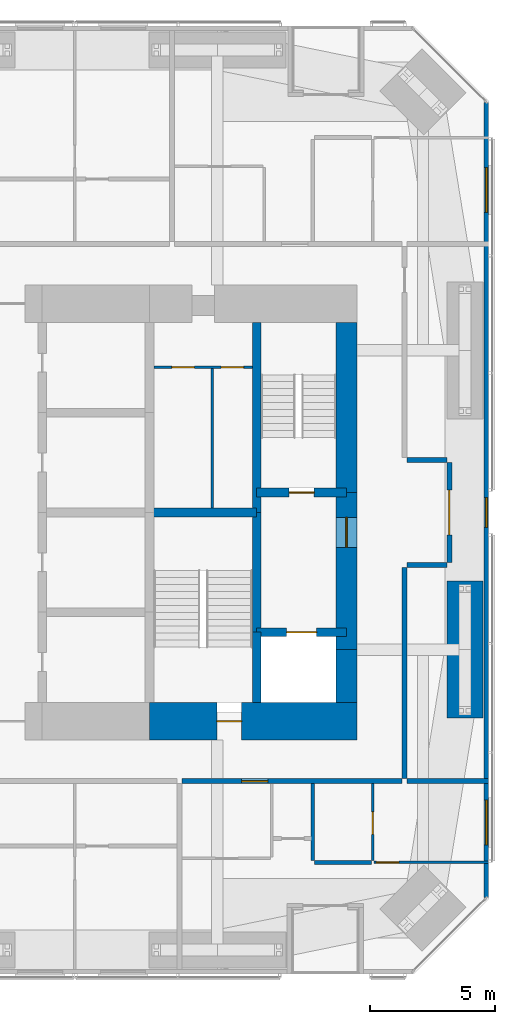
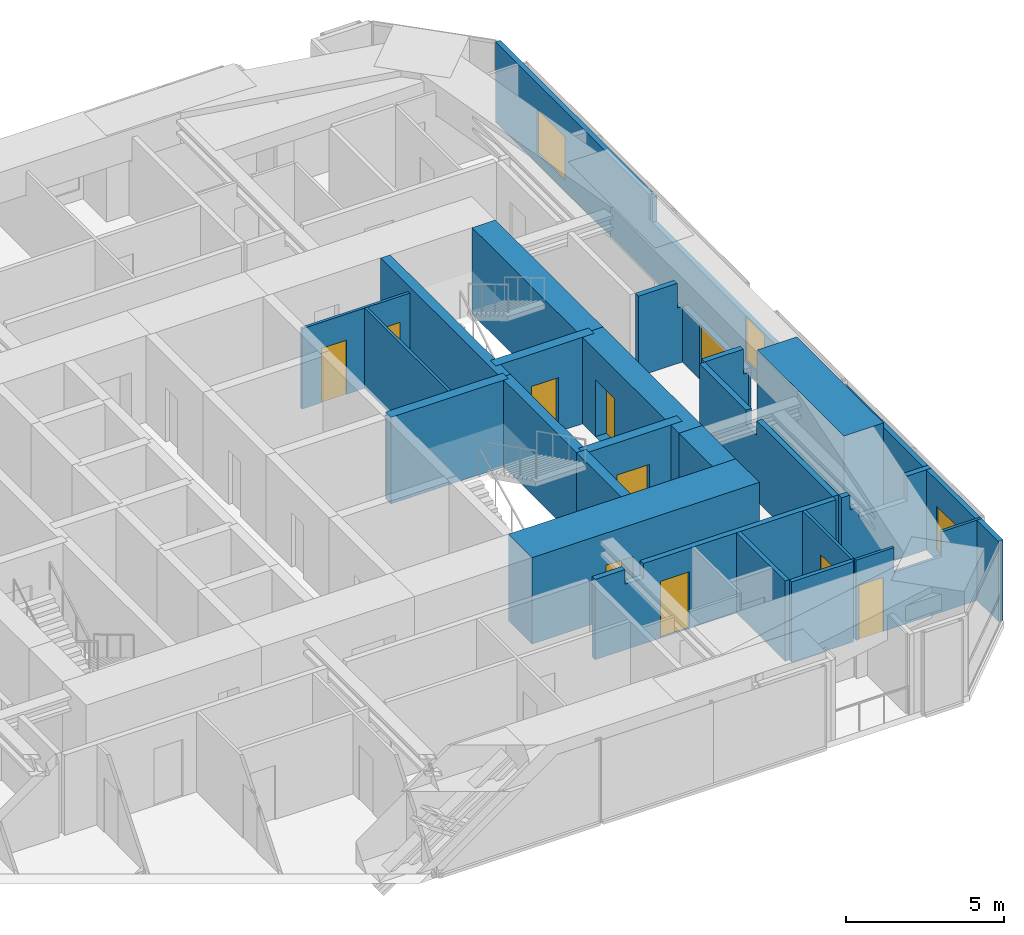
# One storey, part 20 of 23: 24 walls, 10 doors, 3 windows, 13 openings.
"""IFC4 building model written with IfcOpenShell, lengths in metres."""

from ifc_helpers import new_model, si_unit, direction, frame, frame_2d, origin, place, context, subcontext, project, spatial, polyline, rectangle, outline, extrude, material, layer, layer_set, constituent, constituent_set, type_object, element, fill, save


model = new_model("IFC4")

# Units and contexts
model_context = context("Model", 3, precision=1e-05, world=origin(), true_north=direction((0.0, 1.0)))
body_context = subcontext(model_context, "Body", "Model", "MODEL_VIEW")
ifc_project = project(units=[si_unit("LENGTHUNIT", "METRE"), si_unit("AREAUNIT", "SQUARE_METRE"), si_unit("VOLUMEUNIT", "CUBIC_METRE"), si_unit("PLANEANGLEUNIT", "RADIAN"), si_unit("MASSUNIT", "GRAM", prefix="KILO")], contexts=[model_context])

# Site, building, storey
site_placement = place(None, origin())
site = spatial("IfcSite", under=ifc_project, at=site_placement, CompositionType="ELEMENT")
building_placement = place(site_placement, origin())
building = spatial("IfcBuilding", under=site, at=building_placement, Name="Jalousie Tower", CompositionType="ELEMENT")
storey_placement = place(building_placement, frame((0.0, 0.0, 118.25)))
storey = spatial("IfcBuildingStorey", under=building, at=storey_placement, Name="L32", CompositionType="ELEMENT", Elevation=118.25)

# Walls
ifc_material_1 = material(Name="Concrete block ASTM C90", Category="concrete")
ifc_constituent_1 = constituent(ifc_material_1, Name="Body")
ifc_material_2 = material(Name="Render")
ifc_constituent_2 = constituent(ifc_material_2, Name="Finish")
ifc_constituent_set_1 = constituent_set(constituents=[ifc_constituent_1, ifc_constituent_2])
wall_type_1 = type_object("IfcWallType", Name="BATHROOM WALL 150", PredefinedType="PLUMBINGWALL", material=ifc_constituent_set_1)
wall_1_placement = place(storey_placement, frame((42.52490234375, 4.4638671875, 0.0), z_axis=(0.0, 0.0, 1.0), x_axis=(1.0, 0.0, 0.0)))
element("IfcWall", 1, at=wall_1_placement, inside=storey, type_object=wall_type_1, Name="Bathroom Wall 150 L32", PredefinedType="PLUMBINGWALL", context=body_context, shape_type="SweptSolid", body=[
    extrude(rectangle(XDim=2.275146484375, YDim=0.14990234375, at=frame_2d((1.1376953125, 0.0))), origin(), (0.0, 0.0, 1.0), 3.110107421875),
])
wall_2_placement = place(storey_placement, frame((42.449951171875, 4.538818359375, 0.0), z_axis=(0.0, 0.0, 1.0), x_axis=(0.0, 1.0, 0.0)))
element("IfcWall", 2, at=wall_2_placement, inside=storey, type_object=wall_type_1, Name="Bathroom Wall 150 L32", PredefinedType="PLUMBINGWALL", context=body_context, shape_type="SweptSolid", body=[
    extrude(rectangle(XDim=3.086181640625, YDim=0.14990234375, at=frame_2d((1.54296875, 0.0))), origin(), (0.0, 0.0, 1.0), 3.110107421875),
])

# Wall, opening, door
ifc_material_3 = material(Name="Concrete f'c 120 MPa", Category="concrete")
ifc_layer_1 = layer(ifc_material_3, 1.5)
ifc_layer_set_1 = layer_set([ifc_layer_1], Name="Concrete f'c 120 MPa")
wall_type_2 = type_object("IfcWallType", Name="CORE WALL 1500", PredefinedType="SHEAR", material=ifc_layer_set_1)
wall_3_placement = place(storey_placement, frame((35.89990234375, 10.125, 0.0), z_axis=(0.0, 0.0, 1.0), x_axis=(1.0, 0.0, 0.0)))
wall_3 = element("IfcWall", 3, at=wall_3_placement, inside=storey, type_object=wall_type_2, Name="Core wall SD L32", PredefinedType="SHEAR", context=body_context, shape_type="SweptSolid", body=[
    extrude(rectangle(XDim=8.3251953125, YDim=1.5, at=frame_2d((4.16259765625, 0.0))), origin(), (0.0, 0.0, 1.0), 3.35009765625),
])
opening_1_placement = place(wall_3_placement, frame((2.699951171875, 0.0, 0.0)))
opening_1 = element("IfcOpeningElement", 4, at=opening_1_placement, cuts=wall_3, Name="Opening D10", PredefinedType="OPENING", context=body_context, shape_type="SweptSolid", body=[
    extrude(rectangle(XDim=1.0, YDim=2.10009765625, at=frame_2d((0.5, 1.050048828125))), frame((0.0, 0.760009765625, 0.0), z_axis=(0.0, -1.0, 0.0), x_axis=(1.0, 0.0, 0.0)), (0.0, 0.0, 1.0), 1.52001953125),
])
ifc_material_4 = material(Name="Steel fire door", Category="steel")
door_type_1 = type_object("IfcDoorType", Name="STAIR DOOR 1000", OperationType="SINGLE_SWING_LEFT", PredefinedType="DOOR", material=ifc_material_4)
door_1_placement = place(opening_1_placement, origin())
door_1 = element("IfcDoor", 5, at=door_1_placement, inside=storey, type_object=door_type_1, Name="Exit stair C door", OperationType="SINGLE_SWING_RIGHT", OverallHeight=2.10009765625, OverallWidth=1.0, PredefinedType="DOOR", context=body_context, shape_type="SweptSolid", body=[
    extrude(rectangle(XDim=1.0, YDim=2.10009765625, at=frame_2d((0.5, 1.050048828125))), frame((0.0, 0.02490234375, 0.0), z_axis=(0.0, -1.0, 0.0), x_axis=(1.0, 0.0, 0.0)), (0.0, 0.0, 1.0), 0.050048828125),
])
fill(opening_1, door_1)

# Walls
ifc_material_5 = material(Name="Concrete f'c 120 MPa", Category="concrete")
ifc_layer_2 = layer(ifc_material_5, 0.35009765625)
ifc_layer_set_2 = layer_set([ifc_layer_2], Name="Concrete f'c 120 MPa")
wall_type_3 = type_object("IfcWallType", Name="CORE WALL 350", PredefinedType="SHEAR", material=ifc_layer_set_2)
wall_4_placement = place(storey_placement, frame((40.199951171875, 10.875, 0.0), z_axis=(0.0, 0.0, 1.0), x_axis=(0.0, 1.0, 0.0)))
element("IfcWall", 6, at=wall_4_placement, inside=storey, type_object=wall_type_3, Name="Core wall X40.2A L32", PredefinedType="SHEAR", context=body_context, shape_type="SweptSolid", body=[
    extrude(rectangle(XDim=2.824951171875, YDim=0.35009765625, at=frame_2d((1.41259765625, 0.0))), origin(), (0.0, 0.0, 1.0), 3.35009765625),
])
wall_5_placement = place(storey_placement, frame((40.199951171875, 13.699951171875, 0.0), z_axis=(0.0, 0.0, 1.0), x_axis=(0.0, 1.0, 0.0)))
element("IfcWall", 7, at=wall_5_placement, inside=storey, type_object=wall_type_3, Name="Core wall X40.2B L32", PredefinedType="SHEAR", context=body_context, shape_type="SweptSolid", body=[
    extrude(rectangle(XDim=4.800048828125, YDim=0.35009765625, at=frame_2d((2.39990234375, 0.0))), origin(), (0.0, 0.0, 1.0), 3.35009765625),
])
wall_6_placement = place(storey_placement, frame((40.199951171875, 18.5, 0.0), z_axis=(0.0, 0.0, 1.0), x_axis=(0.0, 1.0, 0.0)))
element("IfcWall", 8, at=wall_6_placement, inside=storey, type_object=wall_type_3, Name="Core wall X40.2C L32", PredefinedType="SHEAR", context=body_context, shape_type="SweptSolid", body=[
    extrude(rectangle(XDim=7.625, YDim=0.35009765625, at=frame_2d((3.8125, 0.0))), origin(), (0.0, 0.0, 1.0), 3.35009765625),
])
wall_7_placement = place(storey_placement, frame((35.89990234375, 18.5, 0.0), z_axis=(0.0, 0.0, 1.0), x_axis=(1.0, 0.0, 0.0)))
element("IfcWall", 9, at=wall_7_placement, inside=storey, type_object=wall_type_3, Name="Core wall Y35.9-18.5 L32", PredefinedType="SHEAR", context=body_context, shape_type="SweptSolid", body=[
    extrude(rectangle(XDim=4.300048828125, YDim=0.35009765625, at=frame_2d((2.14990234375, 0.0))), origin(), (0.0, 0.0, 1.0), 3.35009765625),
])

# Wall, opening, door
wall_8_placement = place(storey_placement, frame((40.199951171875, 13.699951171875, 0.0), z_axis=(0.0, 0.0, 1.0), x_axis=(1.0, 0.0, 0.0)))
wall_8 = element("IfcWall", 10, at=wall_8_placement, inside=storey, type_object=wall_type_3, Name="Core wall Y40.2-13.7 L32", PredefinedType="SHEAR", context=body_context, shape_type="SweptSolid", body=[
    extrude(rectangle(XDim=3.60009765625, YDim=0.35009765625, at=frame_2d((1.800048828125, 0.0))), origin(), (0.0, 0.0, 1.0), 3.35009765625),
])
opening_2_placement = place(wall_8_placement, frame((1.199951171875, 0.0, 0.0)))
opening_2 = element("IfcOpeningElement", 11, at=opening_2_placement, cuts=wall_8, Name="Opening LD2", PredefinedType="OPENING", context=body_context, shape_type="SweptSolid", body=[
    extrude(rectangle(XDim=1.199951171875, YDim=2.10009765625, at=frame_2d((0.60009765625, 1.050048828125))), frame((0.0, 0.18505859375, 0.0), z_axis=(0.0, -1.0, 0.0), x_axis=(1.0, 0.0, 0.0)), (0.0, 0.0, 1.0), 0.3701171875),
])
ifc_material_6 = material(Name="Steel lift landing door", Category="steel")
door_type_2 = type_object("IfcDoorType", Name="LIFT LANDING DOOR 1200", OperationType="SLIDING_TO_LEFT", PredefinedType="DOOR", material=ifc_material_6)
door_2_placement = place(opening_2_placement, origin())
door_2 = element("IfcDoor", 12, at=door_2_placement, inside=storey, type_object=door_type_2, Name="Lift F2 landing door", OperationType="SLIDING_TO_LEFT", OverallHeight=2.10009765625, OverallWidth=1.199951171875, PredefinedType="DOOR", context=body_context, shape_type="SweptSolid", body=[
    extrude(rectangle(XDim=1.199951171875, YDim=2.10009765625, at=frame_2d((0.60009765625, 1.050048828125))), frame((0.0, 0.02490234375, 0.0), z_axis=(0.0, -1.0, 0.0), x_axis=(1.0, 0.0, 0.0)), (0.0, 0.0, 1.0), 0.050048828125),
])
fill(opening_2, door_2)

wall_9_placement = place(storey_placement, frame((40.199951171875, 19.300048828125, 0.0), z_axis=(0.0, 0.0, 1.0), x_axis=(1.0, 0.0, 0.0)))
wall_9 = element("IfcWall", 13, at=wall_9_placement, inside=storey, type_object=wall_type_3, Name="Core wall Y40.2-19.3 L32", PredefinedType="SHEAR", context=body_context, shape_type="SweptSolid", body=[
    extrude(rectangle(XDim=3.60009765625, YDim=0.35009765625, at=frame_2d((1.800048828125, 0.0))), origin(), (0.0, 0.0, 1.0), 3.35009765625),
])
opening_3_placement = place(wall_9_placement, frame((1.300048828125, 0.0, 0.0)))
opening_3 = element("IfcOpeningElement", 14, at=opening_3_placement, cuts=wall_9, Name="Opening D10", PredefinedType="OPENING", context=body_context, shape_type="SweptSolid", body=[
    extrude(rectangle(XDim=1.0, YDim=2.10009765625, at=frame_2d((0.5, 1.050048828125))), frame((0.0, 0.18505859375, 0.0), z_axis=(0.0, -1.0, 0.0), x_axis=(1.0, 0.0, 0.0)), (0.0, 0.0, 1.0), 0.3701171875),
])
door_3_placement = place(opening_3_placement, origin())
door_3 = element("IfcDoor", 15, at=door_3_placement, inside=storey, type_object=door_type_1, Name="Exit stair B door", OperationType="SINGLE_SWING_RIGHT", OverallHeight=2.10009765625, OverallWidth=1.0, PredefinedType="DOOR", context=body_context, shape_type="SweptSolid", body=[
    extrude(rectangle(XDim=1.0, YDim=2.10009765625, at=frame_2d((0.5, 1.050048828125))), frame((0.0, 0.02490234375, 0.0), z_axis=(0.0, -1.0, 0.0), x_axis=(1.0, 0.0, 0.0)), (0.0, 0.0, 1.0), 0.050048828125),
])
fill(opening_3, door_3)

# Wall
ifc_material_7 = material(Name="Concrete f'c 120 MPa", Category="concrete")
ifc_layer_3 = layer(ifc_material_7, 0.85009765625)
ifc_layer_set_3 = layer_set([ifc_layer_3], Name="Concrete f'c 120 MPa")
wall_type_4 = type_object("IfcWallType", Name="CORE WALL 850", PredefinedType="SHEAR", material=ifc_layer_set_3)
wall_10_placement = place(storey_placement, frame((43.800048828125, 10.875, 0.0), z_axis=(0.0, 0.0, 1.0), x_axis=(0.0, 1.0, 0.0)))
element("IfcWall", 16, at=wall_10_placement, inside=storey, type_object=wall_type_4, Name="Core wall EA L32", PredefinedType="SHEAR", context=body_context, shape_type="SweptSolid", body=[
    extrude(rectangle(XDim=2.125, YDim=0.85009765625, at=frame_2d((1.0625, 0.0))), origin(), (0.0, 0.0, 1.0), 3.35009765625),
])

# Wall, opening, door
wall_11_placement = place(storey_placement, frame((43.800048828125, 13.0, 0.0), z_axis=(0.0, 0.0, 1.0), x_axis=(0.0, 1.0, 0.0)))
wall_11 = element("IfcWall", 17, at=wall_11_placement, inside=storey, type_object=wall_type_4, Name="Core wall EB L32", PredefinedType="SHEAR", context=body_context, shape_type="SweptSolid", body=[
    extrude(rectangle(XDim=6.300048828125, YDim=0.85009765625, at=frame_2d((3.14990234375, 0.0))), origin(), (0.0, 0.0, 1.0), 3.35009765625),
])
opening_4_placement = place(wall_11_placement, frame((4.10009765625, 0.0, 0.0)))
opening_4 = element("IfcOpeningElement", 18, at=opening_4_placement, cuts=wall_11, Name="Opening D11", PredefinedType="OPENING", context=body_context, shape_type="SweptSolid", body=[
    extrude(rectangle(XDim=1.199951171875, YDim=2.199951171875, at=frame_2d((0.60009765625, 1.10009765625))), frame((0.0, 0.43505859375, 0.0), z_axis=(0.0, -1.0, 0.0), x_axis=(1.0, 0.0, 0.0)), (0.0, 0.0, 1.0), 0.8701171875),
])
ifc_material_8 = material(Name="Steel fire door", Category="steel")
door_type_3 = type_object("IfcDoorType", Name="FIRE DOOR 1200", OperationType="SINGLE_SWING_LEFT", PredefinedType="DOOR", material=ifc_material_8)
door_4_placement = place(opening_4_placement, origin())
door_4 = element("IfcDoor", 19, at=door_4_placement, inside=storey, type_object=door_type_3, Name="Fire-fighting lobby B door", OperationType="SINGLE_SWING_RIGHT", OverallHeight=2.199951171875, OverallWidth=1.199951171875, PredefinedType="DOOR", context=body_context, shape_type="SweptSolid", body=[
    extrude(rectangle(XDim=1.199951171875, YDim=2.199951171875, at=frame_2d((0.60009765625, 1.10009765625))), frame((0.0, 0.02490234375, 0.0), z_axis=(0.0, -1.0, 0.0), x_axis=(1.0, 0.0, 0.0)), (0.0, 0.0, 1.0), 0.050048828125),
])
fill(opening_4, door_4)

# Wall
wall_12_placement = place(storey_placement, frame((43.800048828125, 19.300048828125, 0.0), z_axis=(0.0, 0.0, 1.0), x_axis=(0.0, 1.0, 0.0)))
element("IfcWall", 20, at=wall_12_placement, inside=storey, type_object=wall_type_4, Name="Core wall EC L32", PredefinedType="SHEAR", context=body_context, shape_type="SweptSolid", body=[
    extrude(rectangle(XDim=6.824951171875, YDim=0.85009765625, at=frame_2d((3.41259765625, 0.0))), origin(), (0.0, 0.0, 1.0), 3.35009765625),
])

# Wall, opening, door
ifc_material_9 = material(Name="Concrete block ASTM C90", Category="concrete")
ifc_constituent_3 = constituent(ifc_material_9, Name="Body")
ifc_material_10 = material(Name="Render")
ifc_constituent_4 = constituent(ifc_material_10, Name="Finish")
ifc_constituent_set_2 = constituent_set(constituents=[ifc_constituent_3, ifc_constituent_4])
wall_type_5 = type_object("IfcWallType", Name="CORRIDOR WALL 200", PredefinedType="PARTITIONING", material=ifc_constituent_set_2)
wall_13_placement = place(storey_placement, frame((37.199951171875, 7.72509765625, 0.0), z_axis=(0.0, 0.0, 1.0), x_axis=(1.0, 0.0, 0.0)))
wall_13 = element("IfcWall", 21, at=wall_13_placement, inside=storey, type_object=wall_type_5, Name="Corridor Wall 200 L32", PredefinedType="PARTITIONING", context=body_context, shape_type="SweptSolid", body=[
    extrude(outline(polyline([(0.0, 0.0), (8.824951171875, 0.0), (8.824951171875, 3.110107421875), (1.76220703125, 3.110107421875), (1.76220703125, 2.541015625), (1.087646484375, 2.541015625), (1.087646484375, 3.110107421875), (0.0, 3.110107421875), (0.0, 0.0)])), frame((0.0, 0.10009765625, 0.0), z_axis=(0.0, -1.0, 0.0), x_axis=(1.0, 0.0, 0.0)), (0.0, 0.0, 1.0), 0.199951171875),
])
opening_5_placement = place(wall_13_placement, frame((2.39990234375, 0.0, 0.0)))
opening_5 = element("IfcOpeningElement", 22, at=opening_5_placement, cuts=wall_13, Name="Opening D1", PredefinedType="OPENING", context=body_context, shape_type="SweptSolid", body=[
    extrude(rectangle(XDim=1.050048828125, YDim=2.199951171875, at=frame_2d((0.52490234375, 1.10009765625))), frame((0.0, 0.10986328125, 0.0), z_axis=(0.0, -1.0, 0.0), x_axis=(1.0, 0.0, 0.0)), (0.0, 0.0, 1.0), 0.219970703125),
])
ifc_material_11 = material(Name="Timber fire door", Category="wood")
door_type_4 = type_object("IfcDoorType", Name="APARTMENT ENTRANCE DOOR 1050", OperationType="SINGLE_SWING_LEFT", PredefinedType="DOOR", material=ifc_material_11)
door_5_placement = place(opening_5_placement, frame((1.050048828125, 0.0, 0.0), z_axis=(0.0, 0.0, 1.0), x_axis=(-1.0, 0.0, 0.0)))
door_5 = element("IfcDoor", 23, at=door_5_placement, inside=storey, type_object=door_type_4, Name="Apartment 3202 entrance", OperationType="SINGLE_SWING_LEFT", OverallHeight=2.199951171875, OverallWidth=1.050048828125, PredefinedType="DOOR", context=body_context, shape_type="SweptSolid", body=[
    extrude(rectangle(XDim=1.050048828125, YDim=2.199951171875, at=frame_2d((0.52490234375, 1.10009765625))), frame((0.0, 0.02490234375, 0.0), z_axis=(0.0, -1.0, 0.0), x_axis=(1.0, 0.0, 0.0)), (0.0, 0.0, 1.0), 0.050048828125),
])
fill(opening_5, door_5)

# Wall
wall_14_placement = place(storey_placement, frame((46.125, 7.824951171875, 0.0), z_axis=(0.0, 0.0, 1.0), x_axis=(0.0, 1.0, 0.0)))
element("IfcWall", 24, at=wall_14_placement, inside=storey, type_object=wall_type_5, Name="Corridor Wall 200 L32", PredefinedType="PARTITIONING", context=body_context, shape_type="SweptSolid", body=[
    extrude(outline(polyline([(0.0, 0.0), (8.47509765625, 0.0), (8.47509765625, 3.110107421875), (5.51220703125, 3.110107421875), (5.51220703125, 2.541015625), (4.837646484375, 2.541015625), (4.837646484375, 3.110107421875), (0.0, 3.110107421875), (0.0, 0.0)])), frame((0.0, 0.10009765625, 0.0), z_axis=(0.0, -1.0, 0.0), x_axis=(1.0, 0.0, 0.0)), (0.0, 0.0, 1.0), 0.199951171875),
])

# Wall, opening, door
wall_15_placement = place(storey_placement, frame((47.925048828125, 16.5, 0.0), z_axis=(0.0, 0.0, 1.0), x_axis=(0.0, 1.0, 0.0)))
wall_15 = element("IfcWall", 25, at=wall_15_placement, inside=storey, type_object=wall_type_5, Name="Corridor Wall 200 L32", PredefinedType="PARTITIONING", context=body_context, shape_type="SweptSolid", body=[
    extrude(outline(polyline([(0.0, 0.0), (4.0, 0.0), (4.0, 3.110107421875), (4.0, 2.14990234375), (0.0, 2.14990234375), (0.0, 3.110107421875), (0.0, 0.0)])), frame((0.0, 0.10009765625, 0.0), z_axis=(0.0, -1.0, 0.0), x_axis=(1.0, 0.0, 0.0)), (0.0, 0.0, 1.0), 0.199951171875),
])
opening_6_placement = place(wall_15_placement, frame((1.10009765625, 0.0, 0.0)))
opening_6 = element("IfcOpeningElement", 26, at=opening_6_placement, cuts=wall_15, Name="Opening D22", PredefinedType="OPENING", context=body_context, shape_type="SweptSolid", body=[
    extrude(rectangle(XDim=1.800048828125, YDim=2.10009765625, at=frame_2d((0.89990234375, 1.050048828125))), frame((0.0, 0.10986328125, 0.0), z_axis=(0.0, -1.0, 0.0), x_axis=(1.0, 0.0, 0.0)), (0.0, 0.0, 1.0), 0.219970703125),
])
ifc_material_12 = material(Name="Timber fire door", Category="wood")
door_type_5 = type_object("IfcDoorType", Name="CORRIDOR DOUBLE DOOR 1800", OperationType="DOUBLE_DOOR_SINGLE_SWING", PredefinedType="DOOR", material=ifc_material_12)
door_6_placement = place(opening_6_placement, frame((1.800048828125, 0.0, 0.0), z_axis=(0.0, 0.0, 1.0), x_axis=(-1.0, 0.0, 0.0)))
door_6 = element("IfcDoor", 27, at=door_6_placement, inside=storey, type_object=door_type_5, Name="Lounge door", OperationType="DOUBLE_DOOR_SINGLE_SWING", OverallHeight=2.10009765625, OverallWidth=1.800048828125, PredefinedType="DOOR", context=body_context, shape_type="SweptSolid", body=[
    extrude(rectangle(XDim=1.800048828125, YDim=2.10009765625, at=frame_2d((0.89990234375, 1.050048828125))), frame((0.0, 0.02490234375, 0.0), z_axis=(0.0, -1.0, 0.0), x_axis=(1.0, 0.0, 0.0)), (0.0, 0.0, 1.0), 0.050048828125),
])
fill(opening_6, door_6)

# Walls
for number, where, z_axis, x_axis, name in (
    (28, (46.22509765625, 16.39990234375, 0.0), (0.0, 0.0, 1.0), (1.0, 0.0, 0.0), "Corridor Wall 200 L32"),
    (29, (46.22509765625, 20.60009765625, 0.0), (0.0, 0.0, 1.0), (1.0, 0.0, 0.0), "Corridor Wall 200 L32"),
):
    element("IfcWall", number, at=place(storey_placement, frame(where, z_axis=z_axis, x_axis=x_axis)), inside=storey, type_object=wall_type_5, Name=name, PredefinedType="PARTITIONING", context=body_context, shape_type="SweptSolid", body=[
        extrude(outline(polyline([(0.0, 0.0), (1.599853515625, 0.0), (1.60009765625, 3.110107421875), (1.60009765625, 2.14990234375), (1.4150390625, 2.14990234375), (1.4150390625, 3.110107421875), (0.0, 3.110107421875), (0.0, 0.0)])), frame((0.0, 0.10009765625, 0.0), z_axis=(0.0, -1.0, 0.0), x_axis=(1.0, 0.0, 0.0)), (0.0, 0.0, 1.0), 0.199951171875),
    ])

# Wall, openings, windows
ifc_material_13 = material(Name="Concrete f'c 40 MPa", Category="concrete")
ifc_constituent_5 = constituent(ifc_material_13, Name="Body")
ifc_material_14 = material(Name="Render, pastel sea green")
ifc_constituent_6 = constituent(ifc_material_14, Name="Finish")
ifc_constituent_set_3 = constituent_set(constituents=[ifc_constituent_5, ifc_constituent_6])
wall_type_6 = type_object("IfcWallType", Name="EXTERNAL WALL 175 SEA GREEN RENDER", PredefinedType="SOLIDWALL", material=ifc_constituent_set_3)
wall_16_placement = place(storey_placement, frame((49.41259765625, 3.05126953125, 0.0), z_axis=(0.0, 0.0, 1.0), x_axis=(0.0, 1.0, 0.0)))
wall_16 = element("IfcWall", 30, at=wall_16_placement, inside=storey, type_object=wall_type_6, Name="External Wall 175 Sea Green Render L32", PredefinedType="SOLIDWALL", context=body_context, shape_type="SweptSolid", body=[
    extrude(outline(polyline([(0.0, 0.0), (31.8974609375, 0.0), (31.8974609375, 3.110107421875), (22.167236328125, 3.110107421875), (22.167236328125, 2.14990234375), (22.074462890625, 2.14990234375), (22.074462890625, 3.110107421875), (21.94873046875, 3.110107421875), (21.94873046875, 2.14990234375), (9.94873046875, 2.14990234375), (9.94873046875, 3.110107421875), (9.822998046875, 3.110107421875), (9.822998046875, 2.14990234375), (9.72998046875, 2.14990234375), (9.72998046875, 3.110107421875), (0.0, 3.110107421875), (0.0, 0.0)])), frame((0.0, 0.08740234375, 0.0), z_axis=(0.0, -1.0, 0.0), x_axis=(1.0, 0.0, 0.0)), (0.0, 0.0, 1.0), 0.175048828125),
])
opening_7_placement = place(wall_16_placement, frame((2.1181640625, 0.0, 0.39990234375)))
opening_7 = element("IfcOpeningElement", 31, at=opening_7_placement, cuts=wall_16, Name="Opening W-BED170", PredefinedType="OPENING", context=body_context, shape_type="SweptSolid", body=[
    extrude(rectangle(XDim=1.800048828125, YDim=1.699951171875, at=frame_2d((0.89990234375, 0.85009765625))), frame((0.0, 0.097412109375, 0.0), z_axis=(0.0, -1.0, 0.0), x_axis=(1.0, 0.0, 0.0)), (0.0, 0.0, 1.0), 0.195068359375),
])
opening_8_placement = place(wall_16_placement, frame((14.8486328125, 0.0, 0.39990234375)))
opening_8 = element("IfcOpeningElement", 32, at=opening_8_placement, cuts=wall_16, Name="Opening W-COR170", PredefinedType="OPENING", context=body_context, shape_type="SweptSolid", body=[
    extrude(rectangle(XDim=1.199951171875, YDim=1.699951171875, at=frame_2d((0.60009765625, 0.85009765625))), frame((0.0, 0.097412109375, 0.0), z_axis=(0.0, -1.0, 0.0), x_axis=(1.0, 0.0, 0.0)), (0.0, 0.0, 1.0), 0.195068359375),
])
opening_9_placement = place(wall_16_placement, frame((27.479248046875, 0.0, 0.39990234375)))
opening_9 = element("IfcOpeningElement", 33, at=opening_9_placement, cuts=wall_16, Name="Opening W-BED170", PredefinedType="OPENING", context=body_context, shape_type="SweptSolid", body=[
    extrude(rectangle(XDim=1.800048828125, YDim=1.699951171875, at=frame_2d((0.89990234375, 0.85009765625))), frame((0.0, 0.097412109375, 0.0), z_axis=(0.0, -1.0, 0.0), x_axis=(1.0, 0.0, 0.0)), (0.0, 0.0, 1.0), 0.195068359375),
])
ifc_material_15 = material(Name="Aluminium frame, impact-rated glazing", Category="aluminium")
window_type_1 = type_object("IfcWindowType", Name="WINDOW BED 1800x1700", PartitioningType="SINGLE_PANEL", PredefinedType="WINDOW", material=ifc_material_15)
window_1_placement = place(opening_7_placement, origin())
window_1 = element("IfcWindow", 34, at=window_1_placement, inside=storey, type_object=window_type_1, Name="Apartment 3202 bedroom 1 window", OverallHeight=1.699951171875, OverallWidth=1.800048828125, PartitioningType="SINGLE_PANEL", PredefinedType="WINDOW", context=body_context, shape_type="SweptSolid", body=[
    extrude(rectangle(XDim=1.800048828125, YDim=1.699951171875, at=frame_2d((0.89990234375, 0.85009765625))), frame((0.0, 0.030029296875, 0.0), z_axis=(0.0, -1.0, 0.0), x_axis=(1.0, 0.0, 0.0)), (0.0, 0.0, 1.0), 0.06005859375),
])
fill(opening_7, window_1)
window_2_placement = place(opening_9_placement, origin())
window_2 = element("IfcWindow", 35, at=window_2_placement, inside=storey, type_object=window_type_1, Name="Apartment 3204 bedroom 1 window", OverallHeight=1.699951171875, OverallWidth=1.800048828125, PartitioningType="SINGLE_PANEL", PredefinedType="WINDOW", context=body_context, shape_type="SweptSolid", body=[
    extrude(rectangle(XDim=1.800048828125, YDim=1.699951171875, at=frame_2d((0.89990234375, 0.85009765625))), frame((0.0, 0.030029296875, 0.0), z_axis=(0.0, -1.0, 0.0), x_axis=(1.0, 0.0, 0.0)), (0.0, 0.0, 1.0), 0.06005859375),
])
fill(opening_9, window_2)
ifc_material_16 = material(Name="Aluminium frame, impact-rated glazing", Category="aluminium")
window_type_2 = type_object("IfcWindowType", Name="WINDOW COR 1200x1700", PartitioningType="SINGLE_PANEL", PredefinedType="WINDOW", material=ifc_material_16)
window_3_placement = place(opening_8_placement, origin())
window_3 = element("IfcWindow", 36, at=window_3_placement, inside=storey, type_object=window_type_2, Name="Residents' lounge window", OverallHeight=1.699951171875, OverallWidth=1.199951171875, PartitioningType="SINGLE_PANEL", PredefinedType="WINDOW", context=body_context, shape_type="SweptSolid", body=[
    extrude(rectangle(XDim=1.199951171875, YDim=1.699951171875, at=frame_2d((0.60009765625, 0.85009765625))), frame((0.0, 0.030029296875, 0.0), z_axis=(0.0, -1.0, 0.0), x_axis=(1.0, 0.0, 0.0)), (0.0, 0.0, 1.0), 0.06005859375),
])
fill(opening_8, window_3)

# Wall, opening, door
ifc_material_17 = material(Name="Gypsum board", Category="gypsum")
ifc_constituent_7 = constituent(ifc_material_17, Name="Body")
ifc_material_18 = material(Name="Light-gauge steel studs ASTM A653 SS Grade 33", Category="steel")
ifc_constituent_8 = constituent(ifc_material_18, Name="Framing")
ifc_constituent_set_4 = constituent_set(constituents=[ifc_constituent_7, ifc_constituent_8])
wall_type_7 = type_object("IfcWallType", Name="PARTITION 100", PredefinedType="PARTITIONING", material=ifc_constituent_set_4)
wall_17_placement = place(storey_placement, frame((44.85009765625, 4.538818359375, 0.0), z_axis=(0.0, 0.0, 1.0), x_axis=(0.0, 1.0, 0.0)))
wall_17 = element("IfcWall", 37, at=wall_17_placement, inside=storey, type_object=wall_type_7, Name="Partition 100 L32", PredefinedType="PARTITIONING", context=body_context, shape_type="SweptSolid", body=[
    extrude(rectangle(XDim=3.086181640625, YDim=0.10009765625, at=frame_2d((1.54296875, 0.0))), origin(), (0.0, 0.0, 1.0), 3.110107421875),
])
opening_10_placement = place(wall_17_placement, frame((1.0556640625, 0.0, 0.0)))
opening_10 = element("IfcOpeningElement", 38, at=opening_10_placement, cuts=wall_17, Name="Opening D3", PredefinedType="OPENING", context=body_context, shape_type="SweptSolid", body=[
    extrude(rectangle(XDim=0.89990234375, YDim=2.10009765625, at=frame_2d((0.449951171875, 1.050048828125))), frame((0.0, 0.06005859375, 0.0), z_axis=(0.0, -1.0, 0.0), x_axis=(1.0, 0.0, 0.0)), (0.0, 0.0, 1.0), 0.1201171875),
])
ifc_material_19 = material(Name="Timber door", Category="wood")
door_type_6 = type_object("IfcDoorType", Name="BATHROOM DOOR 900", OperationType="SINGLE_SWING_LEFT", PredefinedType="DOOR", material=ifc_material_19)
door_7_placement = place(opening_10_placement, origin())
door_7 = element("IfcDoor", 39, at=door_7_placement, inside=storey, type_object=door_type_6, Name="Apartment 3202 bedroom 1 bathroom door", OperationType="SINGLE_SWING_LEFT", OverallHeight=2.10009765625, OverallWidth=0.89990234375, PredefinedType="DOOR", context=body_context, shape_type="SweptSolid", body=[
    extrude(rectangle(XDim=0.89990234375, YDim=2.10009765625, at=frame_2d((0.449951171875, 1.050048828125))), frame((0.0, 0.02490234375, 0.0), z_axis=(0.0, -1.0, 0.0), x_axis=(1.0, 0.0, 0.0)), (0.0, 0.0, 1.0), 0.050048828125),
])
fill(opening_10, door_7)

wall_18_placement = place(storey_placement, frame((44.89990234375, 4.4638671875, 0.0), z_axis=(0.0, 0.0, 1.0), x_axis=(1.0, 0.0, 0.0)))
wall_18 = element("IfcWall", 40, at=wall_18_placement, inside=storey, type_object=wall_type_7, Name="Partition 100 L32", PredefinedType="PARTITIONING", context=body_context, shape_type="SweptSolid", body=[
    extrude(outline(polyline([(0.0, 0.0), (4.60009765625, 0.0), (4.60009765625, 3.110107421875), (3.136962890625, 3.110107421875), (3.136962890625, 2.14990234375), (1.39453125, 2.14990234375), (1.39453125, 3.110107421875), (0.0, 3.110107421875), (0.0, 0.0)])), frame((0.0, 0.050048828125, 0.0), z_axis=(0.0, -1.0, 0.0), x_axis=(1.0, 0.0, 0.0)), (0.0, 0.0, 1.0), 0.10009765625),
])
opening_11_placement = place(wall_18_placement, frame((0.10009765625, 0.0, 0.0)))
opening_11 = element("IfcOpeningElement", 41, at=opening_11_placement, cuts=wall_18, Name="Opening D2", PredefinedType="OPENING", context=body_context, shape_type="SweptSolid", body=[
    extrude(rectangle(XDim=0.89990234375, YDim=2.10009765625, at=frame_2d((0.449951171875, 1.050048828125))), frame((0.0, 0.06005859375, 0.0), z_axis=(0.0, -1.0, 0.0), x_axis=(1.0, 0.0, 0.0)), (0.0, 0.0, 1.0), 0.1201171875),
])
ifc_material_20 = material(Name="Timber door", Category="wood")
door_type_7 = type_object("IfcDoorType", Name="BEDROOM DOOR 900", OperationType="SINGLE_SWING_LEFT", PredefinedType="DOOR", material=ifc_material_20)
door_8_placement = place(opening_11_placement, origin())
door_8 = element("IfcDoor", 42, at=door_8_placement, inside=storey, type_object=door_type_7, Name="Apartment 3202 bedroom 1 door", OperationType="SINGLE_SWING_LEFT", OverallHeight=2.10009765625, OverallWidth=0.89990234375, PredefinedType="DOOR", context=body_context, shape_type="SweptSolid", body=[
    extrude(rectangle(XDim=0.89990234375, YDim=2.10009765625, at=frame_2d((0.449951171875, 1.050048828125))), frame((0.0, 0.02490234375, 0.0), z_axis=(0.0, -1.0, 0.0), x_axis=(1.0, 0.0, 0.0)), (0.0, 0.0, 1.0), 0.050048828125),
])
fill(opening_11, door_8)

# Wall, openings, doors
wall_19_placement = place(storey_placement, frame((36.074951171875, 24.324951171875, 0.0), z_axis=(0.0, 0.0, 1.0), x_axis=(1.0, 0.0, 0.0)))
wall_19 = element("IfcWall", 43, at=wall_19_placement, inside=storey, type_object=wall_type_7, Name="Partition 100 L32", PredefinedType="PARTITIONING", context=body_context, shape_type="SweptSolid", body=[
    extrude(rectangle(XDim=3.949951171875, YDim=0.10009765625, at=frame_2d((1.97509765625, 0.0))), origin(), (0.0, 0.0, 1.0), 3.110107421875),
])
opening_12_placement = place(wall_19_placement, frame((0.72509765625, 0.0, 0.0)))
opening_12 = element("IfcOpeningElement", 44, at=opening_12_placement, cuts=wall_19, Name="Opening D7", PredefinedType="OPENING", context=body_context, shape_type="SweptSolid", body=[
    extrude(rectangle(XDim=0.89990234375, YDim=2.10009765625, at=frame_2d((0.449951171875, 1.050048828125))), frame((0.0, 0.06005859375, 0.0), z_axis=(0.0, -1.0, 0.0), x_axis=(1.0, 0.0, 0.0)), (0.0, 0.0, 1.0), 0.1201171875),
])
opening_13_placement = place(wall_19_placement, frame((2.699951171875, 0.0, 0.0)))
opening_13 = element("IfcOpeningElement", 45, at=opening_13_placement, cuts=wall_19, Name="Opening D7", PredefinedType="OPENING", context=body_context, shape_type="SweptSolid", body=[
    extrude(rectangle(XDim=0.89990234375, YDim=2.10009765625, at=frame_2d((0.449951171875, 1.050048828125))), frame((0.0, 0.06005859375, 0.0), z_axis=(0.0, -1.0, 0.0), x_axis=(1.0, 0.0, 0.0)), (0.0, 0.0, 1.0), 0.1201171875),
])
ifc_material_21 = material(Name="Timber door", Category="wood")
door_type_8 = type_object("IfcDoorType", Name="INTERNAL DOOR 900", OperationType="SINGLE_SWING_LEFT", PredefinedType="DOOR", material=ifc_material_21)
door_9_placement = place(opening_12_placement, frame((0.89990234375, 0.0, 0.0), z_axis=(0.0, 0.0, 1.0), x_axis=(-1.0, 0.0, 0.0)))
door_9 = element("IfcDoor", 46, at=door_9_placement, inside=storey, type_object=door_type_8, Name="IT room door", OperationType="SINGLE_SWING_LEFT", OverallHeight=2.10009765625, OverallWidth=0.89990234375, PredefinedType="DOOR", context=body_context, shape_type="SweptSolid", body=[
    extrude(rectangle(XDim=0.89990234375, YDim=2.10009765625, at=frame_2d((0.449951171875, 1.050048828125))), frame((0.0, 0.02490234375, 0.0), z_axis=(0.0, -1.0, 0.0), x_axis=(1.0, 0.0, 0.0)), (0.0, 0.0, 1.0), 0.050048828125),
])
fill(opening_12, door_9)
door_10_placement = place(opening_13_placement, frame((0.89990234375, 0.0, 0.0), z_axis=(0.0, 0.0, 1.0), x_axis=(-1.0, 0.0, 0.0)))
door_10 = element("IfcDoor", 47, at=door_10_placement, inside=storey, type_object=door_type_8, Name="Staff WC door", OperationType="SINGLE_SWING_RIGHT", OverallHeight=2.10009765625, OverallWidth=0.89990234375, PredefinedType="DOOR", context=body_context, shape_type="SweptSolid", body=[
    extrude(rectangle(XDim=0.89990234375, YDim=2.10009765625, at=frame_2d((0.449951171875, 1.050048828125))), frame((0.0, 0.02490234375, 0.0), z_axis=(0.0, -1.0, 0.0), x_axis=(1.0, 0.0, 0.0)), (0.0, 0.0, 1.0), 0.050048828125),
])
fill(opening_13, door_10)

# Walls
wall_20_placement = place(storey_placement, frame((38.425048828125, 18.675048828125, 0.0), z_axis=(0.0, 0.0, 1.0), x_axis=(0.0, 1.0, 0.0)))
element("IfcWall", 48, at=wall_20_placement, inside=storey, type_object=wall_type_7, Name="Partition 100 L32", PredefinedType="PARTITIONING", context=body_context, shape_type="SweptSolid", body=[
    extrude(rectangle(XDim=5.599853515625, YDim=0.10009765625, at=frame_2d((2.7998046875, 0.0))), origin(), (0.0, 0.0, 1.0), 3.110107421875),
])
ifc_material_22 = material(Name="Concrete block ASTM C90", Category="concrete")
ifc_constituent_9 = constituent(ifc_material_22, Name="Body")
ifc_material_23 = material(Name="Render")
ifc_constituent_10 = constituent(ifc_material_23, Name="Finish")
ifc_constituent_set_5 = constituent_set(constituents=[ifc_constituent_9, ifc_constituent_10])
wall_type_8 = type_object("IfcWallType", Name="PARTY WALL 200", PredefinedType="PARTITIONING", material=ifc_constituent_set_5)
wall_21_placement = place(storey_placement, frame((46.22509765625, 7.72509765625, 0.0), z_axis=(0.0, 0.0, 1.0), x_axis=(1.0, 0.0, 0.0)))
element("IfcWall", 49, at=wall_21_placement, inside=storey, type_object=wall_type_8, Name="Party Wall 200 L32", PredefinedType="PARTITIONING", context=body_context, shape_type="SweptSolid", body=[
    extrude(outline(polyline([(0.0, 0.0), (3.27490234375, 0.0), (3.27490234375, 3.110107421875), (2.3916015625, 3.110107421875), (2.3916015625, 2.14990234375), (0.642822265625, 2.14990234375), (0.642822265625, 2.541015625), (0.30615234375, 2.541015625), (0.30615234375, 3.110107421875), (0.0, 3.110107421875), (0.0, 0.0)])), frame((0.0, 0.10009765625, 0.0), z_axis=(0.0, -1.0, 0.0), x_axis=(1.0, 0.0, 0.0)), (0.0, 0.0, 1.0), 0.199951171875),
])
ifc_material_24 = material(Name="Concrete f'c 120 MPa", Category="concrete")
ifc_layer_4 = layer(ifc_material_24, 1.449951171875)
ifc_layer_set_4 = layer_set([ifc_layer_4], Name="Concrete f'c 120 MPa")
wall_type_9 = type_object("IfcWallType", Name="RC WALL PIER 1450", PredefinedType="SHEAR", material=ifc_layer_set_4)
wall_22_placement = place(storey_placement, frame((48.550048828125, 10.25, 0.0), z_axis=(0.0, 0.0, 1.0), x_axis=(0.0, 1.0, 0.0)))
element("IfcWall", 50, at=wall_22_placement, inside=storey, type_object=wall_type_9, Name="Wall pier 06 L32", PredefinedType="SHEAR", context=body_context, shape_type="SweptSolid", body=[
    extrude(rectangle(XDim=5.5, YDim=1.449951171875, at=frame_2d((2.75, 0.0))), origin(), (0.0, 0.0, 1.0), 3.35009765625),
])

save(model, "model.ifc")
